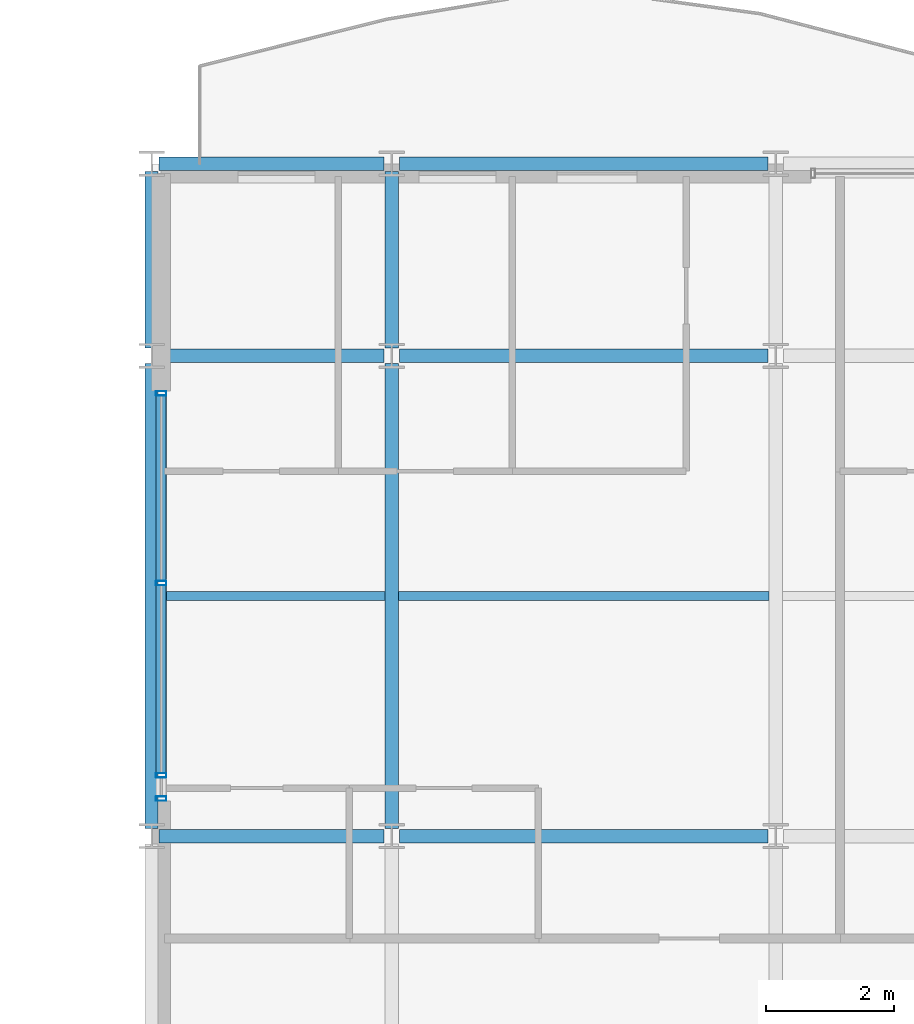
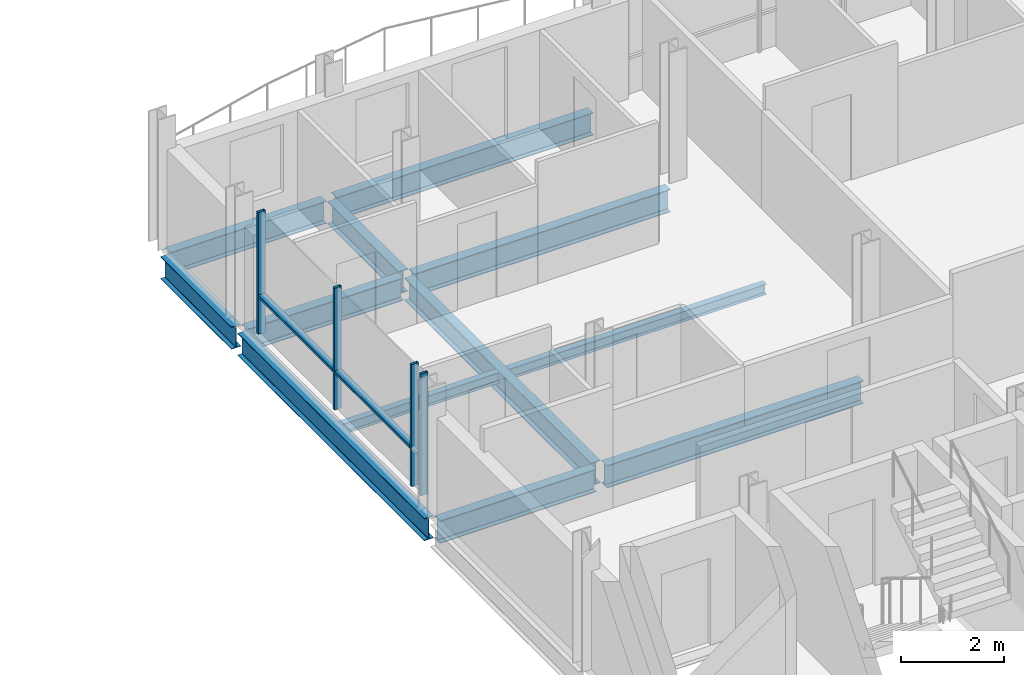
# One storey, part 11 of 28: 12 beams, 6 members, 1 element without a shape of its own.
"""IFC4 building model written with IfcOpenShell, lengths in metres."""

from ifc_helpers import new_model, si_unit, direction, frame, origin, origin_2d, place, context, subcontext, project, spatial, hollow_rectangle, i_section, extrude, material, layer, layer_set, material_profile, profile_set, type_object, element, aggregate, save


model = new_model("IFC4")

# Units and contexts
model_context = context("Model", 3, precision=1e-05, world=origin(), true_north=direction((0.0, 1.0)))
body_context = subcontext(model_context, "Body", "Model", "MODEL_VIEW")
ifc_project = project(units=[si_unit("LENGTHUNIT", "METRE"), si_unit("AREAUNIT", "SQUARE_METRE"), si_unit("VOLUMEUNIT", "CUBIC_METRE"), si_unit("PLANEANGLEUNIT", "RADIAN"), si_unit("MASSUNIT", "GRAM", prefix="KILO")], contexts=[model_context])

# Site, building, storey
site_placement = place(None, origin())
site = spatial("IfcSite", under=ifc_project, at=site_placement, CompositionType="ELEMENT")
building_placement = place(site_placement, origin())
building = spatial("IfcBuilding", under=site, at=building_placement, Name="Brevholm Reach", CompositionType="ELEMENT")
storey_placement = place(building_placement, frame((0.0, 0.0, 192.5)))
storey = spatial("IfcBuildingStorey", under=building, at=storey_placement, Name="L58", CompositionType="ELEMENT", Elevation=192.5)

# Beams
ifc_material_1 = material(Name="Structural Steel S355J2", Category="steel")
ifc_material_profile_1 = material_profile(ifc_material_1, i_section(OverallWidth=0.14599609375, OverallDepth=0.25146484375, WebThickness=0.006103515625, FlangeThickness=0.008544921875, FilletRadius=0.007568359375, at=origin_2d()), Name="UKB 254x146x31")
ifc_profile_set_1 = profile_set([ifc_material_profile_1], Name="Structural Steel S355J2")
beam_type_1 = type_object("IfcBeamType", Name="BM-B254", PredefinedType="BEAM", material=ifc_profile_set_1)
beam_1_placement = place(storey_placement, frame((38.354736328125, 19.75, -0.335693359375), z_axis=(1.0, 0.0, 0.0), x_axis=(0.0, 1.0, 0.0)))
element("IfcBeam", 1, at=beam_1_placement, inside=storey, type_object=beam_type_1, Name="L58 Composite Secondary Floor Beam", PredefinedType="BEAM", context=body_context, shape_type="SweptSolid", body=[
    extrude(i_section(OverallWidth=0.14599609375, OverallDepth=0.25146484375, WebThickness=0.006103515625, FlangeThickness=0.008544921875, FilletRadius=0.007568359375, at=origin_2d()), origin(), (0.0, 0.0, 1.0), 3.539794921875),
])
beam_2_placement = place(storey_placement, frame((42.10546875, 19.75, -0.335693359375), z_axis=(1.0, 0.0, 0.0), x_axis=(0.0, 1.0, 0.0)))
element("IfcBeam", 2, at=beam_2_placement, inside=storey, type_object=beam_type_1, Name="L58 Composite Secondary Floor Beam", PredefinedType="BEAM", context=body_context, shape_type="SweptSolid", body=[
    extrude(i_section(OverallWidth=0.14599609375, OverallDepth=0.25146484375, WebThickness=0.006103515625, FlangeThickness=0.008544921875, FilletRadius=0.007568359375, at=origin_2d()), origin(), (0.0, 0.0, 1.0), 5.7890625),
])
ifc_material_2 = material(Name="Structural Steel S355J2", Category="steel")
ifc_material_profile_2 = material_profile(ifc_material_2, i_section(OverallWidth=0.209228515625, OverallDepth=0.533203125, WebThickness=0.010009765625, FlangeThickness=0.015625, FilletRadius=0.0126953125, at=origin_2d()), Name="UKB 533x210x92")
ifc_profile_set_2 = profile_set([ifc_material_profile_2], Name="Structural Steel S355J2")
beam_type_2 = type_object("IfcBeamType", Name="BM-SP533", PredefinedType="SPANDREL", material=ifc_profile_set_2)
beam_3_placement = place(storey_placement, frame((38.3701171875, 26.5, -0.4765625), z_axis=(1.0, 0.0, 0.0), x_axis=(0.0, 1.0, 0.0)))
element("IfcBeam", 3, at=beam_3_placement, inside=storey, type_object=beam_type_2, Name="L58 SP-02 Framing Beam", PredefinedType="SPANDREL", context=body_context, shape_type="SweptSolid", body=[
    extrude(i_section(OverallWidth=0.209228515625, OverallDepth=0.533203125, WebThickness=0.010009765625, FlangeThickness=0.015625, FilletRadius=0.0126953125, at=origin_2d()), origin(), (0.0, 0.0, 1.0), 3.509765625),
])
beam_4_placement = place(storey_placement, frame((42.1201171875, 26.5, -0.4765625), z_axis=(1.0, 0.0, 0.0), x_axis=(0.0, 1.0, 0.0)))
element("IfcBeam", 4, at=beam_4_placement, inside=storey, type_object=beam_type_2, Name="L58 SP-02 Framing Beam", PredefinedType="SPANDREL", context=body_context, shape_type="SweptSolid", body=[
    extrude(i_section(OverallWidth=0.209228515625, OverallDepth=0.533203125, WebThickness=0.010009765625, FlangeThickness=0.015625, FilletRadius=0.0126953125, at=origin_2d()), origin(), (0.0, 0.0, 1.0), 5.759765625),
])
beam_5_placement = place(storey_placement, frame((38.25, 16.1201171875, -0.4765625), z_axis=(0.0, 1.0, 0.0), x_axis=(-1.0, 0.0, 0.0)))
element("IfcBeam", 5, at=beam_5_placement, inside=storey, type_object=beam_type_2, Name="L58 SP-02 Framing Beam", PredefinedType="SPANDREL", context=body_context, shape_type="SweptSolid", body=[
    extrude(i_section(OverallWidth=0.209228515625, OverallDepth=0.533203125, WebThickness=0.010009765625, FlangeThickness=0.015625, FilletRadius=0.0126953125, at=origin_2d()), origin(), (0.0, 0.0, 1.0), 7.259765625),
])
beam_6_placement = place(storey_placement, frame((38.25, 23.6201171875, -0.4765625), z_axis=(0.0, 1.0, 0.0), x_axis=(-1.0, 0.0, 0.0)))
element("IfcBeam", 6, at=beam_6_placement, inside=storey, type_object=beam_type_2, Name="L58 SP-02 Framing Beam", PredefinedType="SPANDREL", context=body_context, shape_type="SweptSolid", body=[
    extrude(i_section(OverallWidth=0.209228515625, OverallDepth=0.533203125, WebThickness=0.010009765625, FlangeThickness=0.015625, FilletRadius=0.0126953125, at=origin_2d()), origin(), (0.0, 0.0, 1.0), 2.759765625),
])
ifc_material_3 = material(Name="Structural Steel S355J2", Category="steel")
ifc_material_profile_3 = material_profile(ifc_material_3, i_section(OverallWidth=0.210693359375, OverallDepth=0.53955078125, WebThickness=0.01171875, FlangeThickness=0.018798828125, FilletRadius=0.0126953125, at=origin_2d()), Name="UKB 533x210x109")
ifc_profile_set_3 = profile_set([ifc_material_profile_3], Name="Structural Steel S355J2")
beam_type_3 = type_object("IfcBeamType", Name="BM-SP539", PredefinedType="SPANDREL", material=ifc_profile_set_3)
beam_7_placement = place(storey_placement, frame((38.3701171875, 16.0, -0.479736328125), z_axis=(1.0, 0.0, 0.0), x_axis=(0.0, 1.0, 0.0)))
element("IfcBeam", 7, at=beam_7_placement, inside=storey, type_object=beam_type_3, Name="L58 SP-01B Framing Beam", PredefinedType="SPANDREL", context=body_context, shape_type="SweptSolid", body=[
    extrude(i_section(OverallWidth=0.210693359375, OverallDepth=0.53955078125, WebThickness=0.01171875, FlangeThickness=0.018798828125, FilletRadius=0.0126953125, at=origin_2d()), origin(), (0.0, 0.0, 1.0), 3.509765625),
])
beam_8_placement = place(storey_placement, frame((42.1201171875, 16.0, -0.479736328125), z_axis=(1.0, 0.0, 0.0), x_axis=(0.0, 1.0, 0.0)))
element("IfcBeam", 8, at=beam_8_placement, inside=storey, type_object=beam_type_3, Name="L58 SP-01B Framing Beam", PredefinedType="SPANDREL", context=body_context, shape_type="SweptSolid", body=[
    extrude(i_section(OverallWidth=0.210693359375, OverallDepth=0.53955078125, WebThickness=0.01171875, FlangeThickness=0.018798828125, FilletRadius=0.0126953125, at=origin_2d()), origin(), (0.0, 0.0, 1.0), 5.759765625),
])
beam_9_placement = place(storey_placement, frame((38.3701171875, 23.5, -0.479736328125), z_axis=(1.0, 0.0, 0.0), x_axis=(0.0, 1.0, 0.0)))
element("IfcBeam", 9, at=beam_9_placement, inside=storey, type_object=beam_type_3, Name="L58 SP-01B Framing Beam", PredefinedType="SPANDREL", context=body_context, shape_type="SweptSolid", body=[
    extrude(i_section(OverallWidth=0.210693359375, OverallDepth=0.53955078125, WebThickness=0.01171875, FlangeThickness=0.018798828125, FilletRadius=0.0126953125, at=origin_2d()), origin(), (0.0, 0.0, 1.0), 3.509765625),
])
beam_10_placement = place(storey_placement, frame((42.1201171875, 23.5, -0.479736328125), z_axis=(1.0, 0.0, 0.0), x_axis=(0.0, 1.0, 0.0)))
element("IfcBeam", 10, at=beam_10_placement, inside=storey, type_object=beam_type_3, Name="L58 SP-01B Framing Beam", PredefinedType="SPANDREL", context=body_context, shape_type="SweptSolid", body=[
    extrude(i_section(OverallWidth=0.210693359375, OverallDepth=0.53955078125, WebThickness=0.01171875, FlangeThickness=0.018798828125, FilletRadius=0.0126953125, at=origin_2d()), origin(), (0.0, 0.0, 1.0), 5.759765625),
])
beam_11_placement = place(storey_placement, frame((42.0, 16.1201171875, -0.479736328125), z_axis=(0.0, 1.0, 0.0), x_axis=(-1.0, 0.0, 0.0)))
element("IfcBeam", 11, at=beam_11_placement, inside=storey, type_object=beam_type_3, Name="L58 SP-01B Framing Beam", PredefinedType="SPANDREL", context=body_context, shape_type="SweptSolid", body=[
    extrude(i_section(OverallWidth=0.210693359375, OverallDepth=0.53955078125, WebThickness=0.01171875, FlangeThickness=0.018798828125, FilletRadius=0.0126953125, at=origin_2d()), origin(), (0.0, 0.0, 1.0), 7.259765625),
])
beam_12_placement = place(storey_placement, frame((42.0, 23.6201171875, -0.479736328125), z_axis=(0.0, 1.0, 0.0), x_axis=(-1.0, 0.0, 0.0)))
element("IfcBeam", 12, at=beam_12_placement, inside=storey, type_object=beam_type_3, Name="L58 SP-01B Framing Beam", PredefinedType="SPANDREL", context=body_context, shape_type="SweptSolid", body=[
    extrude(i_section(OverallWidth=0.210693359375, OverallDepth=0.53955078125, WebThickness=0.01171875, FlangeThickness=0.018798828125, FilletRadius=0.0126953125, at=origin_2d()), origin(), (0.0, 0.0, 1.0), 2.759765625),
])

# Curtain wall, members
ifc_material_4 = material(Name="Dark Anodised Aluminium 6063-T6 and Solar-Control Glass", Category="aluminium")
ifc_layer = layer(ifc_material_4, 0.1650390625)
ifc_layer_set = layer_set([ifc_layer], Name="Dark Anodised Aluminium 6063-T6 and Solar-Control Glass")
curtain_wall_type = type_object("IfcCurtainWallType", Name="CW-04", PredefinedType="NOTDEFINED", material=ifc_layer_set)
curtain_wall_placement = place(storey_placement, origin())
curtain_wall = element("IfcCurtainWall", 13, at=curtain_wall_placement, inside=storey, type_object=curtain_wall_type, Name="L58 Curtain Wall CW-04", PredefinedType="NOTDEFINED")
ifc_material_5 = material(Name="Dark Anodised Aluminium 6063-T6", Category="aluminium")
ifc_material_profile_4 = material_profile(ifc_material_5, hollow_rectangle(XDim=0.070068359375, YDim=0.1650390625, WallThickness=0.0048828125, InnerFilletRadius=0.0048828125, OuterFilletRadius=0.010009765625, at=origin_2d()), Name="RHS 165x70x5")
ifc_profile_set_4 = profile_set([ifc_material_profile_4], Name="Dark Anodised Aluminium 6063-T6")
member_type_1 = type_object("IfcMemberType", Name="CWM-165", PredefinedType="MULLION", material=ifc_profile_set_4)
member_1_placement = place(storey_placement, frame((38.39990234375, 22.9150390625, 0.0), z_axis=(0.0, 0.0, 1.0), x_axis=(0.0, -1.0, 0.0)))
member_1 = element("IfcMember", 14, at=member_1_placement, type_object=member_type_1, Name="CM-165 Mullion 1", PredefinedType="MULLION", context=body_context, shape_type="SweptSolid", body=[
    extrude(hollow_rectangle(XDim=0.070068359375, YDim=0.1650390625, WallThickness=0.0048828125, InnerFilletRadius=0.0048828125, OuterFilletRadius=0.010009765625, at=origin_2d()), origin(), (0.0, 0.0, 1.0), 2.889892578125),
])
member_2_placement = place(storey_placement, frame((38.39990234375, 19.949951171875, 0.0), z_axis=(0.0, 0.0, 1.0), x_axis=(0.0, -1.0, 0.0)))
member_2 = element("IfcMember", 15, at=member_2_placement, type_object=member_type_1, Name="CM-165 Mullion 2", PredefinedType="MULLION", context=body_context, shape_type="SweptSolid", body=[
    extrude(hollow_rectangle(XDim=0.070068359375, YDim=0.1650390625, WallThickness=0.0048828125, InnerFilletRadius=0.0048828125, OuterFilletRadius=0.010009765625, at=origin_2d()), origin(), (0.0, 0.0, 1.0), 2.889892578125),
])
member_3_placement = place(storey_placement, frame((38.39990234375, 16.949951171875, 0.0), z_axis=(0.0, 0.0, 1.0), x_axis=(0.0, -1.0, 0.0)))
member_3 = element("IfcMember", 16, at=member_3_placement, type_object=member_type_1, Name="CM-165 Mullion 3", PredefinedType="MULLION", context=body_context, shape_type="SweptSolid", body=[
    extrude(hollow_rectangle(XDim=0.070068359375, YDim=0.1650390625, WallThickness=0.0048828125, InnerFilletRadius=0.0048828125, OuterFilletRadius=0.010009765625, at=origin_2d()), origin(), (0.0, 0.0, 1.0), 2.889892578125),
])
member_4_placement = place(storey_placement, frame((38.39990234375, 16.5849609375, 0.0), z_axis=(0.0, 0.0, 1.0), x_axis=(0.0, -1.0, 0.0)))
member_4 = element("IfcMember", 17, at=member_4_placement, type_object=member_type_1, Name="CM-165 Mullion 4", PredefinedType="MULLION", context=body_context, shape_type="SweptSolid", body=[
    extrude(hollow_rectangle(XDim=0.070068359375, YDim=0.1650390625, WallThickness=0.0048828125, InnerFilletRadius=0.0048828125, OuterFilletRadius=0.010009765625, at=origin_2d()), origin(), (0.0, 0.0, 1.0), 2.889892578125),
])
ifc_material_6 = material(Name="Dark Anodised Aluminium 6063-T6", Category="aluminium")
ifc_material_profile_5 = material_profile(ifc_material_6, hollow_rectangle(XDim=0.070068359375, YDim=0.1650390625, WallThickness=0.0048828125, InnerFilletRadius=0.0048828125, OuterFilletRadius=0.010009765625, at=origin_2d()), Name="RHS 165x70x5")
ifc_profile_set_5 = profile_set([ifc_material_profile_5], Name="Dark Anodised Aluminium 6063-T6")
member_type_2 = type_object("IfcMemberType", Name="CWT-165", PredefinedType="NOTDEFINED", material=ifc_profile_set_5)
member_5_placement = place(storey_placement, frame((38.39990234375, 22.8798828125, 0.89990234375), z_axis=(0.0, -1.0, 0.0), x_axis=(0.0, 0.0, 1.0)))
member_5 = element("IfcMember", 18, at=member_5_placement, type_object=member_type_2, Name="CT-165 Transom 1.1", ObjectType="TRANSOM", PredefinedType="USERDEFINED", context=body_context, shape_type="SweptSolid", body=[
    extrude(hollow_rectangle(XDim=0.070068359375, YDim=0.1650390625, WallThickness=0.0048828125, InnerFilletRadius=0.0048828125, OuterFilletRadius=0.010009765625, at=origin_2d()), origin(), (0.0, 0.0, 1.0), 2.894775390625),
])
member_6_placement = place(storey_placement, frame((38.39990234375, 19.9150390625, 0.89990234375), z_axis=(0.0, -1.0, 0.0), x_axis=(0.0, 0.0, 1.0)))
member_6 = element("IfcMember", 19, at=member_6_placement, type_object=member_type_2, Name="CT-165 Transom 2.1", ObjectType="TRANSOM", PredefinedType="USERDEFINED", context=body_context, shape_type="SweptSolid", body=[
    extrude(hollow_rectangle(XDim=0.070068359375, YDim=0.1650390625, WallThickness=0.0048828125, InnerFilletRadius=0.0048828125, OuterFilletRadius=0.010009765625, at=origin_2d()), origin(), (0.0, 0.0, 1.0), 2.929931640625),
])
aggregate(curtain_wall, [member_1, member_2, member_3, member_4, member_5, member_6])

save(model, "model.ifc")
